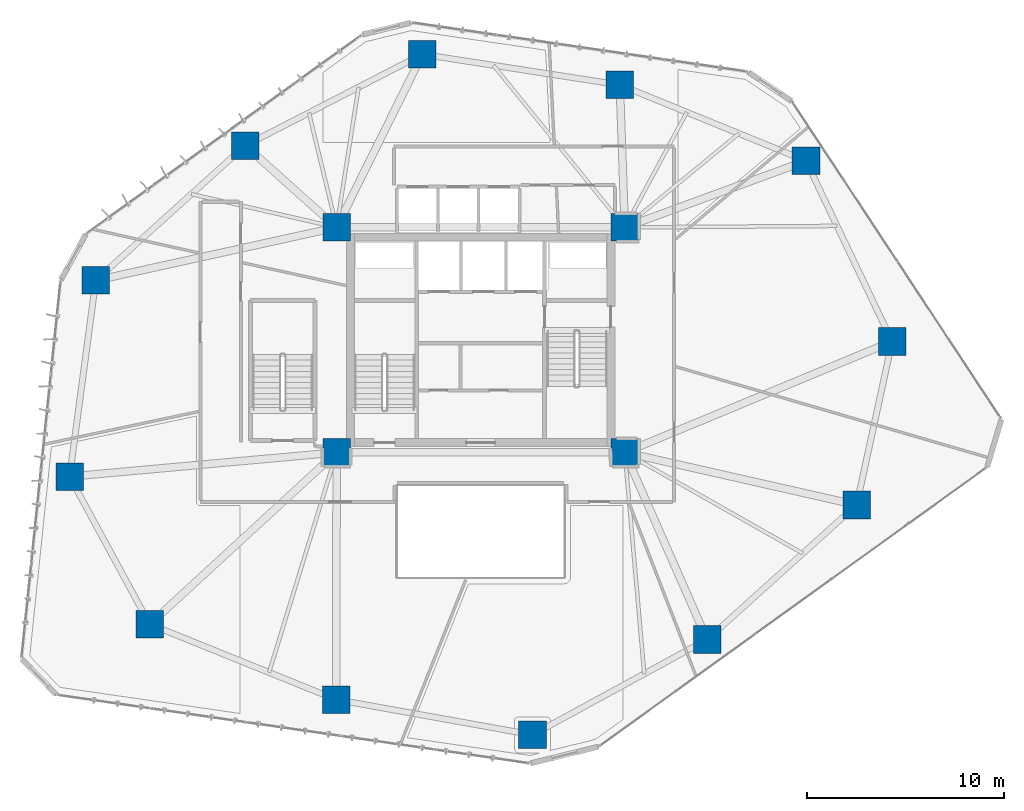
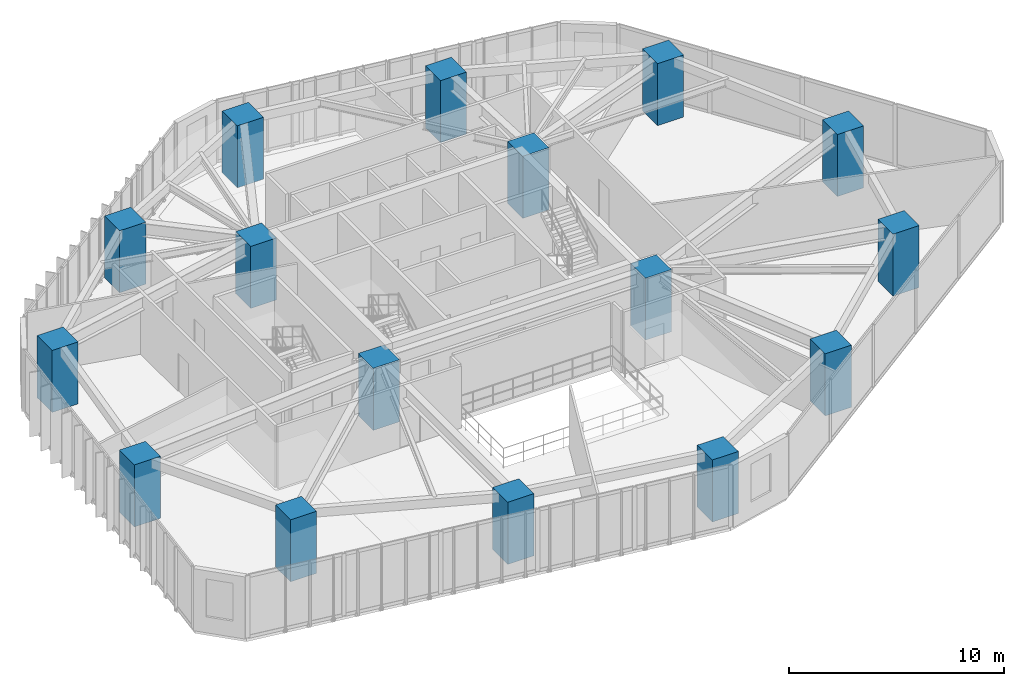
# One storey, part 1 of 22: 16 columns.
"""IFC4 building model written with IfcOpenShell, lengths in metres."""

import ifcopenshell
import ifcopenshell.guid

model = None  # the IFC model being written
_history = None  # IfcOwnerHistory: only IFC2X3 demands one
_inside = {}  # id of a spatial element -> (the spatial element, [elements in it])
_under = {}  # id of a project, library or spatial element -> (it, [spatial elements below it])
_declared = {}  # id of a project -> (the project, [libraries it declares])
_typed = {}  # id of a type object -> (the type object, [elements of that type])
_made_of = {}  # id of a material, layer set ... -> (it, [elements and type objects made of it])


def new_model(schema):
    """Start an empty IFC model of exactly this schema.

    Asked for "IFC4X3", IfcOpenShell would pick the latest addendum, in which some entities
    have other attributes; the version numbers below select the first issue.
    IFC2X3 requires an IfcOwnerHistory on every rooted entity: one is made here for all.
    """
    global model, _history
    if schema == "IFC4X3":
        model = ifcopenshell.file(schema_version=(4, 3, 0, 0))
    else:
        model = ifcopenshell.file(schema=schema)
    _inside.clear()
    _under.clear()
    _declared.clear()
    _typed.clear()
    _made_of.clear()
    _history = None
    if model.schema == "IFC2X3":
        org = make("IfcOrganization", Name="unknown")
        user = make(
            "IfcPersonAndOrganization",
            ThePerson=make("IfcPerson", FamilyName="unknown"),
            TheOrganization=org,
        )
        app = make(
            "IfcApplication",
            ApplicationDeveloper=org,
            Version="unknown",
            ApplicationFullName="unknown",
            ApplicationIdentifier="unknown",
        )
        _history = make(
            "IfcOwnerHistory",
            OwningUser=user,
            OwningApplication=app,
            ChangeAction="ADDED",
            CreationDate=0,
        )
    return model


def make(cls, **values):
    """One entity of the class cls with the attributes given. An attribute that is None is left unset."""
    return model.create_entity(
        cls, **{name: value for name, value in values.items() if value is not None}
    )


def rooted(cls, **values):
    """An entity with a GlobalId (a new one), such as an element, a storey or a relation."""
    return make(cls, GlobalId=ifcopenshell.guid.new(), OwnerHistory=_history, **values)


def si_unit(unit_type, name, prefix=None):
    """IfcSIUnit, for example si_unit("LENGTHUNIT", "METRE", prefix="MILLI")."""
    return make("IfcSIUnit", UnitType=unit_type, Prefix=prefix, Name=name)


def assignment(units):
    """IfcUnitAssignment: the units of a project."""
    return None if units is None else make("IfcUnitAssignment", Units=units)


def point(xyz):
    """IfcCartesianPoint."""
    return None if xyz is None else make("IfcCartesianPoint", Coordinates=xyz)


def direction(xyz):
    """IfcDirection."""
    return None if xyz is None else make("IfcDirection", DirectionRatios=xyz)


def frame(location, z_axis=None, x_axis=None):
    """IfcAxis2Placement3D, a coordinate frame: its origin and axes. An axis left out is left unset."""
    return make(
        "IfcAxis2Placement3D",
        Location=point(location),
        Axis=direction(z_axis),
        RefDirection=direction(x_axis),
    )


def frame_2d(location, x_axis=None):
    """IfcAxis2Placement2D, a coordinate frame in the plane: its origin and x axis."""
    return make(
        "IfcAxis2Placement2D", Location=point(location), RefDirection=direction(x_axis)
    )


def origin():
    """The frame at (0, 0, 0) with its axes left unset."""
    return frame((0.0, 0.0, 0.0))


def origin_2d():
    """The frame at (0, 0) in the plane with its x axis left unset."""
    return frame_2d((0.0, 0.0))


def place(relative_to, where):
    """IfcLocalPlacement: puts the frame where relative to a parent placement (None: the world)."""
    return make(
        "IfcLocalPlacement", PlacementRelTo=relative_to, RelativePlacement=where
    )


def context(
    kind, dimensions, precision=None, world=None, true_north=None, identifier=None
):
    """IfcGeometricRepresentationContext, for example the 3D "Model" context."""
    return make(
        "IfcGeometricRepresentationContext",
        ContextIdentifier=identifier,
        ContextType=kind,
        CoordinateSpaceDimension=dimensions,
        Precision=precision,
        WorldCoordinateSystem=world,
        TrueNorth=true_north,
    )


def subcontext(parent, identifier, kind, view, scale=None):
    """IfcGeometricRepresentationSubContext, for example "Body" below "Model"."""
    return make(
        "IfcGeometricRepresentationSubContext",
        ContextIdentifier=identifier,
        ContextType=kind,
        ParentContext=parent,
        TargetScale=scale,
        TargetView=view,
    )


def project(units=None, contexts=None):
    """IfcProject with its units and contexts."""
    return rooted(
        "IfcProject",
        Name="project",
        RepresentationContexts=contexts,
        UnitsInContext=assignment(units),
    )


def spatial(cls, under=None, at=None, **own):
    """A site, building, storey or space (cls), placed at a placement, below another one or the project."""
    s = rooted(cls, ObjectPlacement=at, **own)
    if under is not None:
        _under.setdefault(under.id(), (under, []))[1].append(s)
    return s


def profile(cls, at=None, kind="AREA", **sizes):
    """A parametric profile (cls). Its sizes go by their IFC names, for example OverallWidth=200.0."""
    return make(cls, ProfileType=kind, Position=at, **sizes)


def rectangle(**sizes):
    """IfcRectangleProfileDef."""
    return profile("IfcRectangleProfileDef", **sizes)


def extrude(swept, where, along, depth):
    """IfcExtrudedAreaSolid: the profile swept, set in the frame where, extruded along a direction by depth."""
    return make(
        "IfcExtrudedAreaSolid",
        SweptArea=swept,
        Position=where,
        ExtrudedDirection=direction(along),
        Depth=depth,
    )


def shape(context_of_items, identifier, shape_type, items):
    """IfcShapeRepresentation: the items that make up one representation, for example the "Body"."""
    return make(
        "IfcShapeRepresentation",
        ContextOfItems=context_of_items,
        RepresentationIdentifier=identifier,
        RepresentationType=shape_type,
        Items=items,
    )


def material(Name=None, Category=None):
    """IfcMaterial."""
    return make("IfcMaterial", Name=Name, Category=Category)


def material_profile(
    of_material, cross_section, Name=None, Category=None, Priority=None
):
    """IfcMaterialProfile: a cross section and its material."""
    return make(
        "IfcMaterialProfile",
        Name=Name,
        Material=of_material,
        Profile=cross_section,
        Priority=Priority,
        Category=Category,
    )


def profile_set(profiles, Name=None, composite=None):
    """IfcMaterialProfileSet."""
    return make(
        "IfcMaterialProfileSet",
        Name=Name,
        MaterialProfiles=profiles,
        CompositeProfile=composite,
    )


def made_of(thing, what):
    """Note that an element or type object is made of a material, layer set ...; save() writes the relation."""
    if what is not None:
        _made_of.setdefault(what.id(), (what, []))[1].append(thing)
    return thing


def type_object(cls, material=None, **own):
    """A type object (cls), such as IfcWallType, which elements share."""
    return made_of(rooted(cls, **own), material)


def element(
    cls,
    number,
    at=None,
    inside=None,
    cuts=None,
    type_object=None,
    material=None,
    context=None,
    identifier="Body",
    shape_type=None,
    held_by="IfcProductDefinitionShape",
    body=None,
    shapes=None,
    **own,
):
    """One element of the class cls, such as IfcWall. Its Tag is "e" and its number.

    at: its placement. inside: the storey or other place that contains it. cuts: it is an
    opening in that element (IfcRelVoidsElement). A single representation is given by context,
    identifier, shape_type and body (its items); several are given by shapes. held_by: the class
    of the entity that holds the representations. save() writes the other relations.
    """
    e = rooted(cls, Tag="e%d" % number, ObjectPlacement=at, **own)
    if body is not None:
        shapes = [shape(context, identifier, shape_type, body)]
    if shapes is not None:
        e.Representation = make(held_by, Representations=shapes)
    if inside is not None:
        _inside.setdefault(inside.id(), (inside, []))[1].append(e)
    if cuts is not None:
        rooted(
            "IfcRelVoidsElement", RelatingBuildingElement=cuts, RelatedOpeningElement=e
        )
    if type_object is not None:
        _typed.setdefault(type_object.id(), (type_object, []))[1].append(e)
    return made_of(e, material)


def aggregate(whole, parts):
    """IfcRelAggregates: a whole, such as a stair, and the parts it consists of."""
    return rooted("IfcRelAggregates", RelatingObject=whole, RelatedObjects=parts)


def save(model, path):
    """Write the relations noted so far, then the file.

    IfcRelAggregates (storeys below a building ...), IfcRelContainedInSpatialStructure (elements
    in a storey), IfcRelDefinesByType, IfcRelAssociatesMaterial and IfcRelDeclares: one each for
    every whole, place, type object, material and project.
    """
    for whole, parts in _under.values():
        aggregate(whole, parts)
    for where, things in _inside.values():
        rooted(
            "IfcRelContainedInSpatialStructure",
            RelatedElements=things,
            RelatingStructure=where,
        )
    for kind, things in _typed.values():
        rooted("IfcRelDefinesByType", RelatedObjects=things, RelatingType=kind)
    for what, things in _made_of.values():
        rooted("IfcRelAssociatesMaterial", RelatedObjects=things, RelatingMaterial=what)
    for by, libraries in _declared.values():
        rooted("IfcRelDeclares", RelatingContext=by, RelatedDefinitions=libraries)
    model.write(path)


model = new_model("IFC4")

# Units and contexts
model_context = context("Model", 3, precision=1e-05, world=origin(), true_north=direction((0.0, 1.0)))
body_context = subcontext(model_context, "Body", "Model", "MODEL_VIEW")
ifc_project = project(units=[si_unit("LENGTHUNIT", "METRE"), si_unit("AREAUNIT", "SQUARE_METRE"), si_unit("VOLUMEUNIT", "CUBIC_METRE"), si_unit("PLANEANGLEUNIT", "RADIAN"), si_unit("MASSUNIT", "GRAM", prefix="KILO")], contexts=[model_context])

# Site, building, storey
site_placement = place(None, origin())
site = spatial("IfcSite", under=ifc_project, at=site_placement, CompositionType="ELEMENT")
building_placement = place(site_placement, origin())
building = spatial("IfcBuilding", under=site, at=building_placement, Name="Talar Marvaseh", CompositionType="ELEMENT")
storey_placement = place(building_placement, frame((0.0, 0.0, 65.800048828125)))
storey = spatial("IfcBuildingStorey", under=building, at=storey_placement, Name="L16", CompositionType="ELEMENT", Elevation=65.800048828125)

# Columns
ifc_material = material(Name="Concrete C70/85", Category="concrete")
ifc_material_profile = material_profile(ifc_material, rectangle(XDim=1.39990234375, YDim=1.39990234375, at=origin_2d()), Name="RC1400x1400")
ifc_profile_set = profile_set([ifc_material_profile], Name="Concrete C70/85")
column_type = type_object("IfcColumnType", Name="Zone 1 Tube Column RC1400x1400", PredefinedType="COLUMN", material=ifc_profile_set)
for number, where, z_axis, x_axis, name in (
    (1, (42.47705078125, 40.26904296875, 0.0), (0.0, 0.0, 1.0), (1.0, 0.0, 0.0), "L16 Zone 1 Tube Column RC1400x1400"),
    (2, (46.841064453125, 31.118896484375, 0.0), (0.0, 0.0, 1.0), (1.0, 0.0, 0.0), "L16 Zone 1 Tube Column RC1400x1400"),
    (3, (45.0439453125, 22.840087890625, 0.0), (0.0, 0.0, 1.0), (1.0, 0.0, 0.0), "L16 Zone 1 Tube Column RC1400x1400"),
    (4, (37.468017578125, 16.02099609375, 0.0), (0.0, 0.0, 1.0), (1.0, 0.0, 0.0), "L16 Zone 1 Tube Column RC1400x1400"),
    (5, (28.625, 11.195068359375, 0.0), (0.0, 0.0, 1.0), (1.0, 0.0, 0.0), "L16 Zone 1 Tube Column RC1400x1400"),
    (6, (18.68310546875, 12.97900390625, 0.0), (0.0, 0.0, 1.0), (1.0, 0.0, 0.0), "L16 Zone 1 Tube Column RC1400x1400"),
    (7, (9.23193359375, 16.7958984375, 0.0), (0.0, 0.0, 1.0), (1.0, 0.0, 0.0), "L16 Zone 1 Tube Column RC1400x1400"),
    (8, (5.175048828125, 24.27587890625, 0.0), (0.0, 0.0, 1.0), (1.0, 0.0, 0.0), "L16 Zone 1 Tube Column RC1400x1400"),
    (9, (6.501953125, 34.214111328125, 0.0), (0.0, 0.0, 1.0), (1.0, 0.0, 0.0), "L16 Zone 1 Tube Column RC1400x1400"),
    (10, (14.069091796875, 41.04296875, 0.0), (0.0, 0.0, 1.0), (1.0, 0.0, 0.0), "L16 Zone 1 Tube Column RC1400x1400"),
    (11, (23.047119140625, 45.6669921875, 0.0), (0.0, 0.0, 1.0), (1.0, 0.0, 0.0), "L16 Zone 1 Tube Column RC1400x1400"),
    (12, (33.0458984375, 44.117919921875, 0.0), (0.0, 0.0, 1.0), (1.0, 0.0, 0.0), "L16 Zone 1 Tube Column RC1400x1400"),
    (13, (18.699951171875, 25.5, 0.0), (0.0, 0.0, 1.0), (1.0, 0.0, 0.0), "L16 Zone 1 Tube Column RC1400x1400"),
    (14, (33.300048828125, 25.5, 0.0), (0.0, 0.0, 1.0), (1.0, 0.0, 0.0), "L16 Zone 1 Tube Column RC1400x1400"),
    (15, (33.300048828125, 36.89990234375, 0.0), (0.0, 0.0, 1.0), (1.0, 0.0, 0.0), "L16 Zone 1 Tube Column RC1400x1400"),
    (16, (18.699951171875, 36.89990234375, 0.0), (0.0, 0.0, 1.0), (1.0, 0.0, 0.0), "L16 Zone 1 Tube Column RC1400x1400"),
):
    element("IfcColumn", number, at=place(storey_placement, frame(where, z_axis=z_axis, x_axis=x_axis)), inside=storey, type_object=column_type, Name=name, PredefinedType="COLUMN", context=body_context, shape_type="SweptSolid", body=[
        extrude(rectangle(XDim=1.39990234375, YDim=1.39990234375, at=origin_2d()), origin(), (0.0, 0.0, 1.0), 3.52001953125),
    ])

save(model, "model.ifc")
